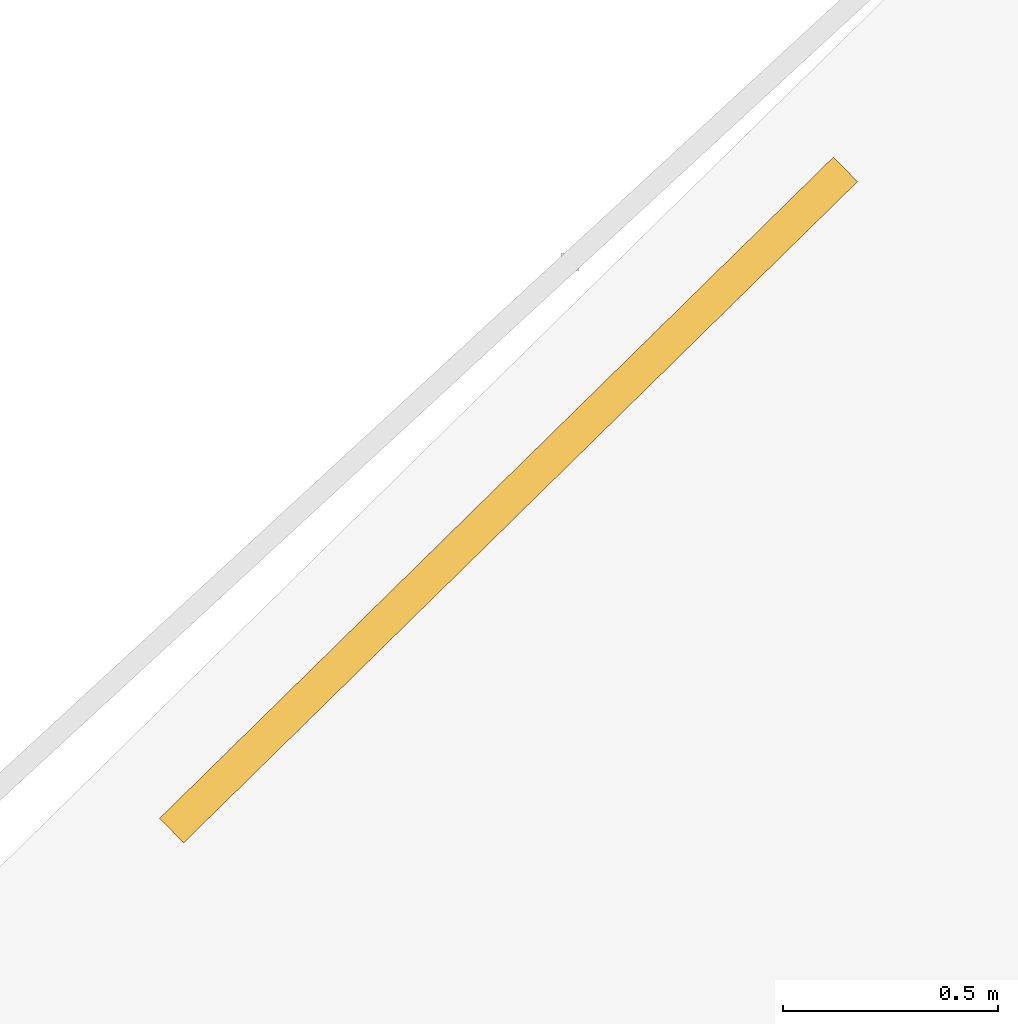
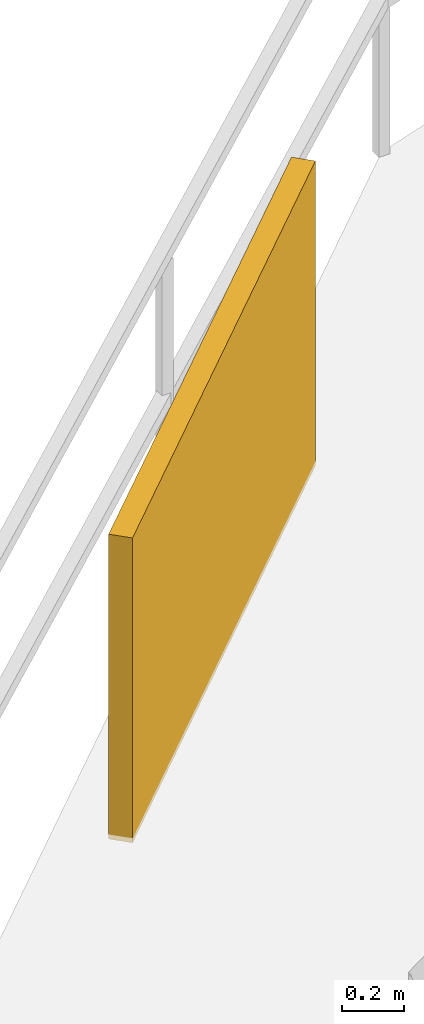
# One storey, part 28 of 29: 1 shading device.
"""IFC4 building model written with IfcOpenShell, lengths in metres."""

from ifc_helpers import new_model, si_unit, direction, frame, origin, origin_2d, place, context, subcontext, project, spatial, rectangle, extrude, material, type_object, element, save


model = new_model("IFC4")

# Units and contexts
model_context = context("Model", 3, precision=1e-05, world=origin(), true_north=direction((0.0, 1.0)))
body_context = subcontext(model_context, "Body", "Model", "MODEL_VIEW")
ifc_project = project(units=[si_unit("LENGTHUNIT", "METRE"), si_unit("AREAUNIT", "SQUARE_METRE"), si_unit("VOLUMEUNIT", "CUBIC_METRE"), si_unit("PLANEANGLEUNIT", "RADIAN"), si_unit("MASSUNIT", "GRAM", prefix="KILO")], contexts=[model_context])

# Site, building, storey
site_placement = place(None, origin())
site = spatial("IfcSite", under=ifc_project, at=site_placement, CompositionType="ELEMENT")
building_placement = place(site_placement, origin())
building = spatial("IfcBuilding", under=site, at=building_placement, Name="Vorneva Point Tower", CompositionType="ELEMENT")
storey_placement = place(building_placement, frame((0.0, 0.0, 150.10009765625)))
storey = spatial("IfcBuildingStorey", under=building, at=storey_placement, Name="L40", CompositionType="ELEMENT", Elevation=150.10009765625)

# Shading device
ifc_material = material(Name="Pale anodised aluminium", Category="aluminium")
shading_device_type = type_object("IfcShadingDeviceType", Name="SHD-JAL-1200", PredefinedType="JALOUSIE", material=ifc_material)
shading_device_placement = place(storey_placement, frame((21.131103515625, 41.837158203125, -0.02001953125), z_axis=(0.0, 0.0, 1.0), x_axis=(-0.71378849846, -0.700361320653, 0.0)))
element("IfcShadingDevice", 1, at=shading_device_placement, inside=storey, type_object=shading_device_type, Name="L40 Balcony Vertical-Greenery Planter Screen NW.2", PredefinedType="JALOUSIE", context=body_context, shape_type="SweptSolid", body=[
    extrude(rectangle(XDim=2.199951171875, YDim=0.080078125, at=origin_2d()), origin(), (0.0, 0.0, 1.0), 1.199951171875),
])

save(model, "model.ifc")
